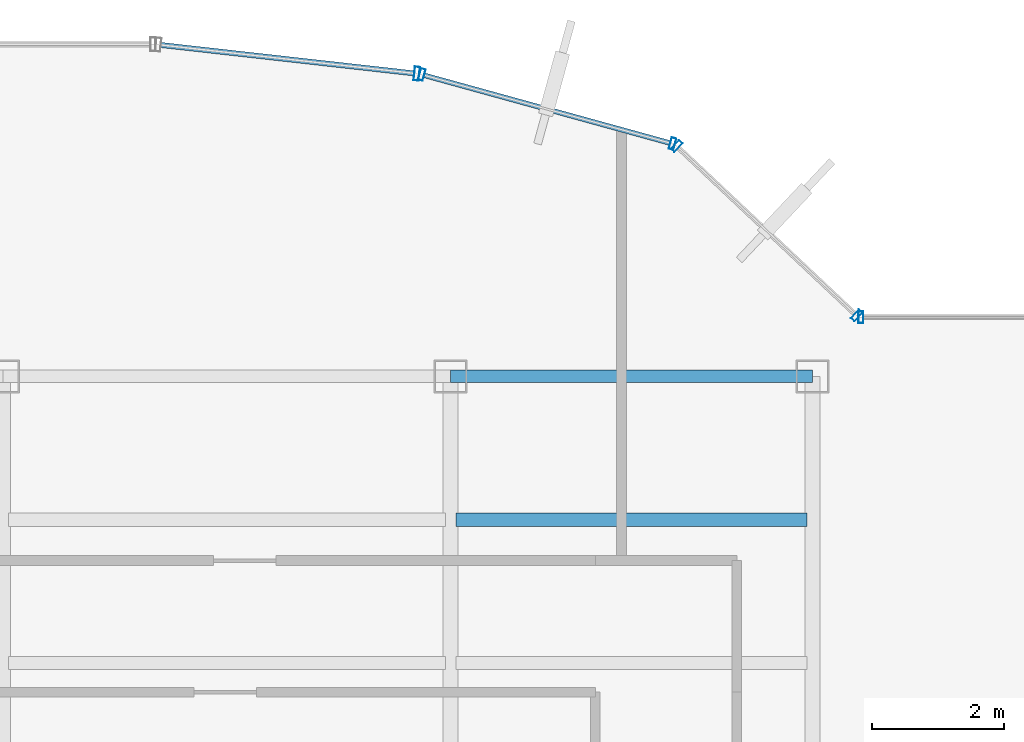
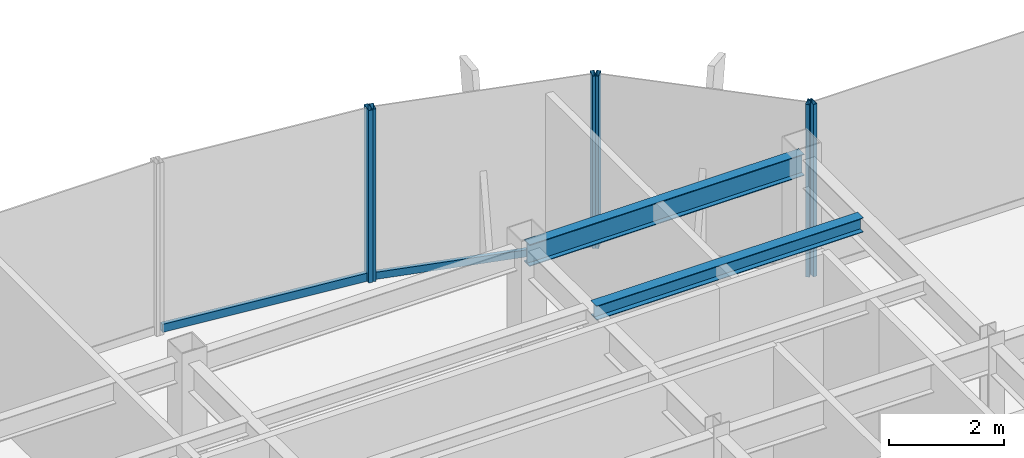
# One storey, part 14 of 22: 8 members, 2 beams, 4 elements without a shape of their own.
"""IFC4 building model written with IfcOpenShell, lengths in metres."""

from ifc_helpers import new_model, si_unit, derived_unit, direction, frame, origin, origin_2d, place, context, subcontext, project, spatial, hollow_rectangle, i_section, extrude, source, transform, mapped, material, material_profile, profile_set, type_object, element, aggregate, save


model = new_model("IFC4")

# Units and contexts
model_context = context("Model", 3, precision=1e-05, world=origin(), true_north=direction((0.0, 1.0)))
body_context = subcontext(model_context, "Body", "Model", "MODEL_VIEW")
ifc_project = project(units=[si_unit("LENGTHUNIT", "METRE"), si_unit("AREAUNIT", "SQUARE_METRE"), si_unit("VOLUMEUNIT", "CUBIC_METRE"), si_unit("PLANEANGLEUNIT", "RADIAN"), si_unit("MASSUNIT", "GRAM", prefix="KILO"), derived_unit("THERMALTRANSMITTANCEUNIT", [(si_unit("POWERUNIT", "WATT"), 1), (si_unit("LENGTHUNIT", "METRE"), -2), (si_unit("THERMODYNAMICTEMPERATUREUNIT", "KELVIN"), -1)])], contexts=[model_context])

# Site, building, storey
site_placement = place(None, origin())
site = spatial("IfcSite", under=ifc_project, at=site_placement, CompositionType="ELEMENT")
building_placement = place(site_placement, origin())
building = spatial("IfcBuilding", under=site, at=building_placement, Name="Skarnbrae Concourse Arena and Tower", CompositionType="ELEMENT")
storey_placement = place(building_placement, frame((0.0, 0.0, 269.75)))
storey = spatial("IfcBuildingStorey", under=building, at=storey_placement, Name="L70", CompositionType="ELEMENT", Elevation=269.75)

# Beams
ifc_material_1 = material(Name="Steel CSA G40.21 350W", Category="steel")
ifc_material_profile_1 = material_profile(ifc_material_1, i_section(OverallWidth=0.19091796875, OverallDepth=0.4599609375, WebThickness=0.010009765625, FlangeThickness=0.01611328125, at=origin_2d()), Name="W460X82")
ifc_profile_set_1 = profile_set([ifc_material_profile_1], Name="Steel CSA G40.21 350W")
beam_type_1 = type_object("IfcBeamType", Name="BM-SPAN-W460X82", PredefinedType="SPANDREL", material=ifc_profile_set_1)
shared_shape_1 = source(origin(), body_context, "Body", "SweptSolid", [
    extrude(i_section(OverallWidth=0.19091796875, OverallDepth=0.4599609375, WebThickness=0.010009765625, FlangeThickness=0.01611328125, at=origin_2d()), origin(), (0.0, 0.0, 1.0), 5.5),
])
beam_1_placement = place(storey_placement, frame((28.0, 34.39990234375, 3.169921875), z_axis=(1.0, 0.0, 0.0), x_axis=(0.0, 1.0, 0.0)))
element("IfcBeam", 1, at=beam_1_placement, inside=storey, type_object=beam_type_1, Name="L70 Perimeter spandrel Y34.4-4", PredefinedType="SPANDREL", context=body_context, shape_type="MappedRepresentation", body=[
    mapped(shared_shape_1, transform((0.0, 0.0, 0.0))),
])
ifc_material_profile_2 = material_profile(ifc_material_1, i_section(OverallWidth=0.202880859375, OverallDepth=0.302978515625, WebThickness=0.007568359375, FlangeThickness=0.01318359375, at=origin_2d()), Name="W310X60")
ifc_profile_set_2 = profile_set([ifc_material_profile_2], Name="Steel CSA G40.21 350W")
beam_type_2 = type_object("IfcBeamType", Name="BM-JOIST-W310X60", PredefinedType="JOIST", material=ifc_profile_set_2)
shared_shape_2 = source(origin(), body_context, "Body", "SweptSolid", [
    extrude(i_section(OverallWidth=0.202880859375, OverallDepth=0.302978515625, WebThickness=0.007568359375, FlangeThickness=0.01318359375, at=origin_2d()), origin(), (0.0, 0.0, 1.0), 5.33984375),
])
beam_2_placement = place(storey_placement, frame((28.080078125, 32.221923828125, 3.24853515625), z_axis=(1.0, 0.0, 0.0), x_axis=(0.0, 1.0, 0.0)))
element("IfcBeam", 2, at=beam_2_placement, inside=storey, type_object=beam_type_2, Name="L70 Secondary floor joist 3.2.4", PredefinedType="JOIST", context=body_context, shape_type="MappedRepresentation", body=[
    mapped(shared_shape_2, transform((0.0, 0.0, 0.0))),
])

# Curtain wall, member
ifc_material_2 = material(Name="Bronze anodised aluminium 6063-T6", Category="aluminium")
curtain_wall_type_1 = type_object("IfcCurtainWallType", Name="CW-SYS-03-PORTAL", PredefinedType="USERDEFINED", material=ifc_material_2)
curtain_wall_1_placement = place(storey_placement, origin())
curtain_wall_1 = element("IfcCurtainWall", 3, at=curtain_wall_1_placement, inside=storey, type_object=curtain_wall_type_1, Name="L70 Unitised curtain wall CW-L70-E10", ObjectType="UNITISED CURTAIN WALL", PredefinedType="USERDEFINED")
ifc_material_profile_3 = material_profile(ifc_material_2, hollow_rectangle(XDim=0.080078125, YDim=0.2099609375, WallThickness=0.00439453125, at=origin_2d()), Name="ALU-MULL-80X210")
ifc_profile_set_3 = profile_set([ifc_material_profile_3], Name="Bronze anodised aluminium 6063-T6")
member_type_1 = type_object("IfcMemberType", Name="CWM-CW-03", PredefinedType="MULLION", material=ifc_profile_set_3)
shared_shape_3 = source(origin(), body_context, "Body", "SweptSolid", [
    extrude(hollow_rectangle(XDim=0.080078125, YDim=0.2099609375, WallThickness=0.00439453125, at=origin_2d()), origin(), (0.0, 0.0, 1.0), 3.64990234375),
])
member_1_placement = place(storey_placement, frame((27.486083984375, 39.001708984375, 0.0), z_axis=(0.0, 0.0, 1.0), x_axis=(-0.993768891873, 0.111460259941, 0.0)))
member_1 = element("IfcMember", 4, at=member_1_placement, type_object=member_type_1, Name="CW-L70-E10 Mullion 1", PredefinedType="MULLION", context=body_context, shape_type="MappedRepresentation", body=[
    mapped(shared_shape_3, transform((0.0, 0.0, 0.0))),
])

curtain_wall_type_2 = type_object("IfcCurtainWallType", Name="CW-SYS-05-HIGHZONE", PredefinedType="USERDEFINED", material=ifc_material_2)
curtain_wall_2_placement = place(storey_placement, origin())
curtain_wall_2 = element("IfcCurtainWall", 5, at=curtain_wall_2_placement, inside=storey, type_object=curtain_wall_type_2, Name="L70 Unitised curtain wall CW-L70-E07", ObjectType="UNITISED CURTAIN WALL", PredefinedType="USERDEFINED")
ifc_material_profile_4 = material_profile(ifc_material_2, hollow_rectangle(XDim=0.074951171875, YDim=0.179931640625, WallThickness=0.00390625, at=origin_2d()), Name="ALU-MULL-75X180")
ifc_profile_set_4 = profile_set([ifc_material_profile_4], Name="Bronze anodised aluminium 6063-T6")
member_type_2 = type_object("IfcMemberType", Name="CWM-CW-05", PredefinedType="MULLION", material=ifc_profile_set_4)
shared_shape_4 = source(origin(), body_context, "Body", "SweptSolid", [
    extrude(hollow_rectangle(XDim=0.074951171875, YDim=0.179931640625, WallThickness=0.00390625, at=origin_2d()), origin(), (0.0, 0.0, 1.0), 3.64990234375),
])
member_2_placement = place(storey_placement, frame((34.237548828125, 35.300048828125, 0.0), z_axis=(0.0, 0.0, 1.0), x_axis=(-1.0, 0.0, 0.0)))
member_2 = element("IfcMember", 6, at=member_2_placement, type_object=member_type_2, Name="CW-L70-E07 Mullion 2", PredefinedType="MULLION", context=body_context, shape_type="MappedRepresentation", body=[
    mapped(shared_shape_4, transform((0.0, 0.0, 0.0))),
])
aggregate(curtain_wall_2, [member_2])

# Curtain wall, members
curtain_wall_3_placement = place(storey_placement, origin())
curtain_wall_3 = element("IfcCurtainWall", 7, at=curtain_wall_3_placement, inside=storey, type_object=curtain_wall_type_2, Name="L70 Unitised curtain wall CW-L70-E08", ObjectType="UNITISED CURTAIN WALL", PredefinedType="USERDEFINED")
member_3_placement = place(storey_placement, frame((34.172607421875, 35.32568359375, 0.0), z_axis=(0.0, 0.0, 1.0), x_axis=(-0.728130555214, 0.685438468838, 0.0)))
member_3 = element("IfcMember", 8, at=member_3_placement, type_object=member_type_2, Name="CW-L70-E08 Mullion 1", PredefinedType="MULLION", context=body_context, shape_type="MappedRepresentation", body=[
    mapped(shared_shape_4, transform((0.0, 0.0, 0.0))),
])
member_4_placement = place(storey_placement, frame((31.43701171875, 37.90087890625, 0.0), z_axis=(0.0, 0.0, 1.0), x_axis=(-0.728130555214, 0.685438468838, 0.0)))
member_4 = element("IfcMember", 9, at=member_4_placement, type_object=member_type_2, Name="CW-L70-E08 Mullion 2", PredefinedType="MULLION", context=body_context, shape_type="MappedRepresentation", body=[
    mapped(shared_shape_4, transform((0.0, 0.0, 0.0))),
])
aggregate(curtain_wall_3, [member_3, member_4])

curtain_wall_4_placement = place(storey_placement, origin())
curtain_wall_4 = element("IfcCurtainWall", 10, at=curtain_wall_4_placement, inside=storey, type_object=curtain_wall_type_2, Name="L70 Unitised curtain wall CW-L70-E09", ObjectType="UNITISED CURTAIN WALL", PredefinedType="USERDEFINED")
member_5_placement = place(storey_placement, frame((31.37353515625, 37.936767578125, 0.0), z_axis=(0.0, 0.0, 1.0), x_axis=(-0.964057388766, 0.265694093207, 0.0)))
member_5 = element("IfcMember", 11, at=member_5_placement, type_object=member_type_2, Name="CW-L70-E09 Mullion 1", PredefinedType="MULLION", context=body_context, shape_type="MappedRepresentation", body=[
    mapped(shared_shape_4, transform((0.0, 0.0, 0.0))),
])
member_6_placement = place(storey_placement, frame((27.56201171875, 38.987060546875, 0.0), z_axis=(0.0, 0.0, 1.0), x_axis=(-0.964057388766, 0.265694093207, 0.0)))
member_6 = element("IfcMember", 12, at=member_6_placement, type_object=member_type_2, Name="CW-L70-E09 Mullion 2", PredefinedType="MULLION", context=body_context, shape_type="MappedRepresentation", body=[
    mapped(shared_shape_4, transform((0.0, 0.0, 0.0))),
])
ifc_material_profile_5 = material_profile(ifc_material_2, hollow_rectangle(XDim=0.074951171875, YDim=0.14990234375, WallThickness=0.00390625, at=origin_2d()), Name="ALU-TRAN-75X150")
ifc_profile_set_5 = profile_set([ifc_material_profile_5], Name="Bronze anodised aluminium 6063-T6")
member_type_3 = type_object("IfcMemberType", Name="CWT-CW-05", PredefinedType="USERDEFINED", material=ifc_profile_set_5)
shared_shape_5 = source(origin(), body_context, "Body", "SweptSolid", [
    extrude(hollow_rectangle(XDim=0.074951171875, YDim=0.14990234375, WallThickness=0.00390625, at=origin_2d()), origin(), (0.0, 0.0, 1.0), 3.878662109375),
])
member_7_placement = place(storey_placement, frame((31.33740234375, 37.946533203125, 0.074951171875), z_axis=(-0.964042677713, 0.265747465742, 0.0), x_axis=(-0.265747465742, -0.964042677713, 0.0)))
member_7 = element("IfcMember", 13, at=member_7_placement, type_object=member_type_3, Name="CW-L70-E09 Transom 1", ObjectType="TRANSOM", PredefinedType="USERDEFINED", context=body_context, shape_type="MappedRepresentation", body=[
    mapped(shared_shape_5, transform((0.0, 0.0, 0.0))),
])
aggregate(curtain_wall_4, [member_5, member_6, member_7])

# Member
ifc_material_profile_6 = material_profile(ifc_material_2, hollow_rectangle(XDim=0.080078125, YDim=0.169921875, WallThickness=0.00439453125, at=origin_2d()), Name="ALU-TRAN-80X170")
ifc_profile_set_6 = profile_set([ifc_material_profile_6], Name="Bronze anodised aluminium 6063-T6")
member_type_4 = type_object("IfcMemberType", Name="CWT-CW-03", PredefinedType="USERDEFINED", material=ifc_profile_set_6)
shared_shape_6 = source(origin(), body_context, "Body", "SweptSolid", [
    extrude(hollow_rectangle(XDim=0.080078125, YDim=0.169921875, WallThickness=0.00439453125, at=origin_2d()), origin(), (0.0, 0.0, 1.0), 3.873779296875),
])
member_8_placement = place(storey_placement, frame((27.4462890625, 39.006103515625, 0.0849609375), z_axis=(-0.993772558096, 0.111427567397, 0.0), x_axis=(-0.111427567397, -0.993772558096, 0.0)))
member_8 = element("IfcMember", 14, at=member_8_placement, type_object=member_type_4, Name="CW-L70-E10 Transom 1", ObjectType="TRANSOM", PredefinedType="USERDEFINED", context=body_context, shape_type="MappedRepresentation", body=[
    mapped(shared_shape_6, transform((0.0, 0.0, 0.0))),
])

aggregate(curtain_wall_1, [member_1, member_8])

save(model, "model.ifc")
